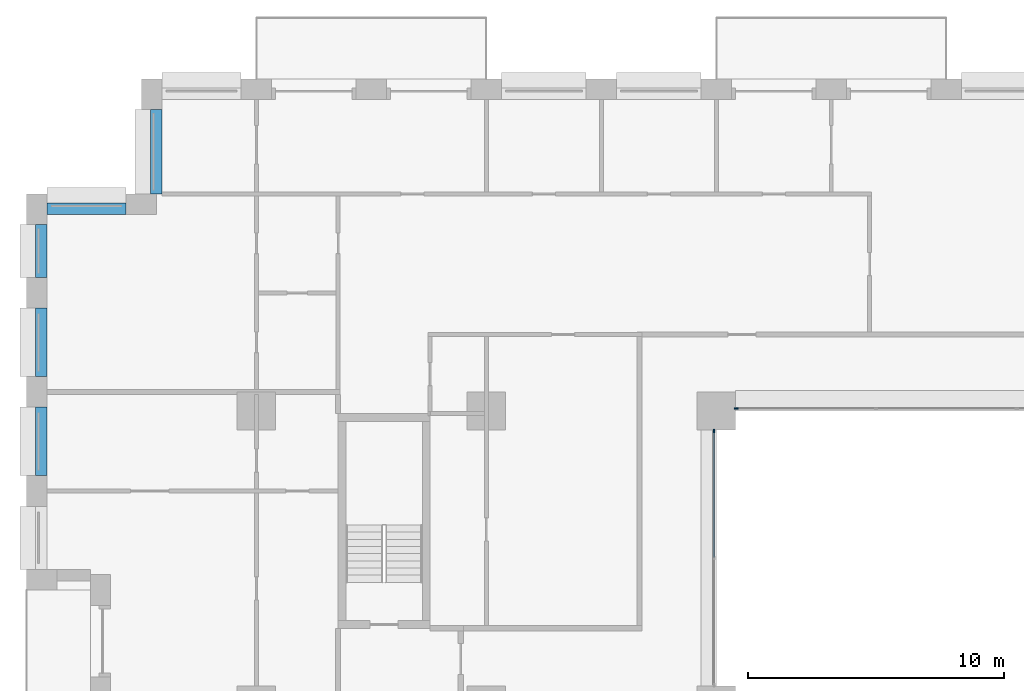
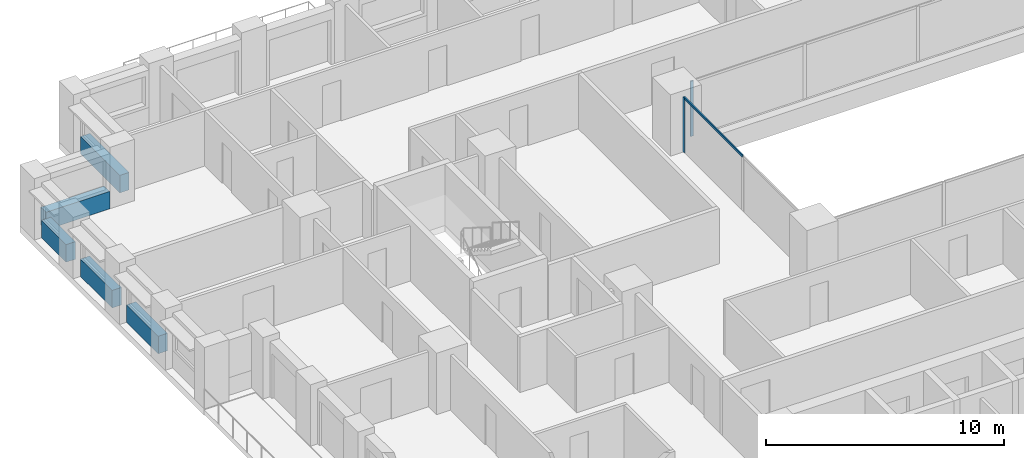
# One storey, part 5 of 21: 5 beams, 3 members, 2 elements without a shape of their own.
"""IFC4 building model written with IfcOpenShell, lengths in metres."""

from ifc_helpers import new_model, si_unit, direction, frame, origin, origin_2d, place, context, subcontext, project, spatial, rectangle, extrude, material, layer, layer_set, material_profile, profile_set, type_object, element, aggregate, save


model = new_model("IFC4")

# Units and contexts
model_context = context("Model", 3, precision=1e-05, world=origin(), true_north=direction((0.0, 1.0)))
body_context = subcontext(model_context, "Body", "Model", "MODEL_VIEW")
ifc_project = project(units=[si_unit("LENGTHUNIT", "METRE"), si_unit("AREAUNIT", "SQUARE_METRE"), si_unit("VOLUMEUNIT", "CUBIC_METRE"), si_unit("PLANEANGLEUNIT", "RADIAN"), si_unit("MASSUNIT", "GRAM", prefix="KILO")], contexts=[model_context])

# Site, building, storey
site_placement = place(None, origin())
site = spatial("IfcSite", under=ifc_project, at=site_placement, CompositionType="ELEMENT")
building_placement = place(site_placement, origin())
building = spatial("IfcBuilding", under=site, at=building_placement, Name="Brigalow Station Residences", CompositionType="ELEMENT")
storey_placement = place(building_placement, frame((0.0, 0.0, 51.0)))
storey = spatial("IfcBuildingStorey", under=building, at=storey_placement, Name="L14", CompositionType="ELEMENT", Elevation=51.0)

# Curtain wall, member
ifc_material_1 = material(Name="Aluminium", Category="aluminium")
ifc_layer = layer(ifc_material_1, 0.14990234375)
ifc_layer_set = layer_set([ifc_layer], Name="ATRIUM FIRE-RATED GLAZING CURTAIN WALL")
curtain_wall_type = type_object("IfcCurtainWallType", Name="ATRIUM FIRE-RATED GLAZING CURTAIN WALL", PredefinedType="NOTDEFINED", material=ifc_layer_set)
curtain_wall_1_placement = place(storey_placement, origin())
curtain_wall_1 = element("IfcCurtainWall", 1, at=curtain_wall_1_placement, inside=storey, type_object=curtain_wall_type, Name="L14/cw/atrium-N", PredefinedType="NOTDEFINED")
ifc_material_2 = material(Name="Aluminium", Category="aluminium")
ifc_material_profile_1 = material_profile(ifc_material_2, rectangle(XDim=0.06005859375, YDim=0.14990234375, at=origin_2d()), Name="ATRIUM FIRE-RATED GLAZING MULLION 60x150")
ifc_profile_set_1 = profile_set([ifc_material_profile_1], Name="Aluminium")
member_type_1 = type_object("IfcMemberType", Name="ATRIUM FIRE-RATED GLAZING MULLION 60x150", PredefinedType="MULLION", material=ifc_profile_set_1)
member_1_placement = place(storey_placement, frame((27.780029296875, 35.60009765625, 0.0), z_axis=(0.0, 0.0, 1.0), x_axis=(0.0, -1.0, 0.0)))
member_1 = element("IfcMember", 2, at=member_1_placement, type_object=member_type_1, Name="L14/cw/atrium-N/M03", PredefinedType="MULLION", context=body_context, shape_type="SweptSolid", body=[
    extrude(rectangle(XDim=0.06005859375, YDim=0.14990234375, at=origin_2d()), origin(), (0.0, 0.0, 1.0), 2.830078125),
])
aggregate(curtain_wall_1, [member_1])

# Curtain wall, members
curtain_wall_2_placement = place(storey_placement, origin())
curtain_wall_2 = element("IfcCurtainWall", 3, at=curtain_wall_2_placement, inside=storey, type_object=curtain_wall_type, Name="L14/cw/atrium-W", PredefinedType="NOTDEFINED")
member_2_placement = place(storey_placement, frame((26.89990234375, 34.719970703125, 0.0), z_axis=(0.0, 0.0, 1.0), x_axis=(1.0, 0.0, 0.0)))
member_2 = element("IfcMember", 4, at=member_2_placement, type_object=member_type_1, Name="L14/cw/atrium-W/M00", PredefinedType="MULLION", context=body_context, shape_type="SweptSolid", body=[
    extrude(rectangle(XDim=0.06005859375, YDim=0.14990234375, at=origin_2d()), origin(), (0.0, 0.0, 1.0), 2.830078125),
])
ifc_material_3 = material(Name="Aluminium", Category="aluminium")
ifc_material_profile_2 = material_profile(ifc_material_3, rectangle(XDim=0.06005859375, YDim=0.1201171875, at=origin_2d()), Name="ATRIUM FIRE-RATED GLAZING TRANSOM 60x120")
ifc_profile_set_2 = profile_set([ifc_material_profile_2], Name="Aluminium")
member_type_2 = type_object("IfcMemberType", Name="ATRIUM FIRE-RATED GLAZING TRANSOM 60x120", PredefinedType="USERDEFINED", material=ifc_profile_set_2)
member_3_placement = place(storey_placement, frame((26.89990234375, 34.68994140625, 2.800048828125), z_axis=(0.0, -1.0, 0.0), x_axis=(1.0, 0.0, 0.0)))
member_3 = element("IfcMember", 5, at=member_3_placement, type_object=member_type_2, Name="L14/cw/atrium-W/T00-00", ObjectType="TRANSOM", PredefinedType="USERDEFINED", context=body_context, shape_type="SweptSolid", body=[
    extrude(rectangle(XDim=0.06005859375, YDim=0.1201171875, at=origin_2d()), origin(), (0.0, 0.0, 1.0), 4.909912109375),
])
aggregate(curtain_wall_2, [member_2, member_3])

# Beams
ifc_material_4 = material(Name="Concrete C65", Category="concrete")
ifc_material_profile_3 = material_profile(ifc_material_4, rectangle(XDim=0.449951171875, YDim=0.89990234375, at=origin_2d()), Name="RC450x900")
ifc_profile_set_3 = profile_set([ifc_material_profile_3], Name="Concrete C65")
beam_type = type_object("IfcBeamType", Name="SPANDREL BEAM 450x900 C65", PredefinedType="SPANDREL", material=ifc_profile_set_3)
beam_1_placement = place(storey_placement, frame((5.074951171875, 47.300048828125, 0.449951171875), z_axis=(0.0, -1.0, 0.0), x_axis=(1.0, 0.0, 0.0)))
element("IfcBeam", 6, at=beam_1_placement, inside=storey, type_object=beam_type, Name="L14/spandrel/W-L14-40", PredefinedType="SPANDREL", context=body_context, shape_type="SweptSolid", body=[
    extrude(rectangle(XDim=0.449951171875, YDim=0.89990234375, at=origin_2d()), origin(), (0.0, 0.0, 1.0), 3.300048828125),
])
beam_2_placement = place(storey_placement, frame((3.89990234375, 43.425048828125, 0.449951171875), z_axis=(-1.0, 0.0, 0.0), x_axis=(0.0, -1.0, 0.0)))
element("IfcBeam", 7, at=beam_2_placement, inside=storey, type_object=beam_type, Name="L14/spandrel/W-L14-41", PredefinedType="SPANDREL", context=body_context, shape_type="SweptSolid", body=[
    extrude(rectangle(XDim=0.449951171875, YDim=0.89990234375, at=origin_2d()), origin(), (0.0, 0.0, 1.0), 3.099853515625),
])
beam_3_placement = place(storey_placement, frame((0.574951171875, 42.800048828125, 0.449951171875), z_axis=(0.0, -1.0, 0.0), x_axis=(1.0, 0.0, 0.0)))
element("IfcBeam", 8, at=beam_3_placement, inside=storey, type_object=beam_type, Name="L14/spandrel/W-L14-42", PredefinedType="SPANDREL", context=body_context, shape_type="SweptSolid", body=[
    extrude(rectangle(XDim=0.449951171875, YDim=0.89990234375, at=origin_2d()), origin(), (0.0, 0.0, 1.0), 2.074951171875),
])
for number, where, z_axis, x_axis, name in (
    (9, (0.574951171875, 39.52490234375, 0.449951171875), (0.0, -1.0, 0.0), (1.0, 0.0, 0.0), "L14/spandrel/W-L14-43"),
    (10, (0.574951171875, 35.64990234375, 0.449951171875), (0.0, -1.0, 0.0), (1.0, 0.0, 0.0), "L14/spandrel/W-L14-44"),
):
    element("IfcBeam", number, at=place(storey_placement, frame(where, z_axis=z_axis, x_axis=x_axis)), inside=storey, type_object=beam_type, Name=name, PredefinedType="SPANDREL", context=body_context, shape_type="SweptSolid", body=[
        extrude(rectangle(XDim=0.449951171875, YDim=0.89990234375, at=origin_2d()), origin(), (0.0, 0.0, 1.0), 2.6748046875),
    ])

save(model, "model.ifc")
